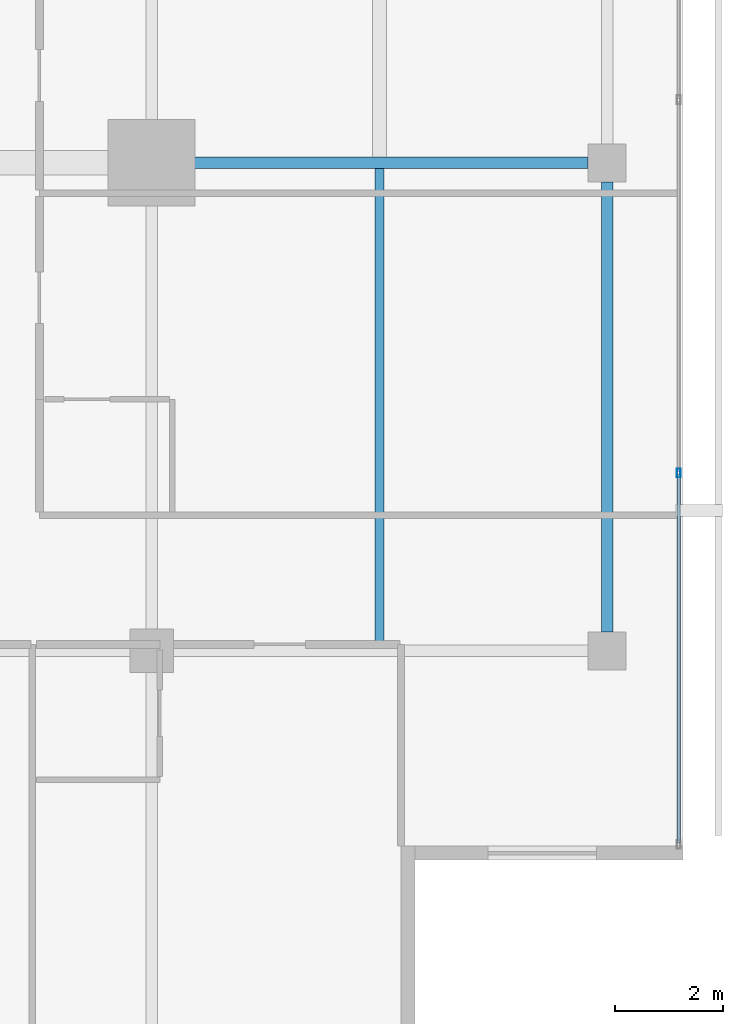
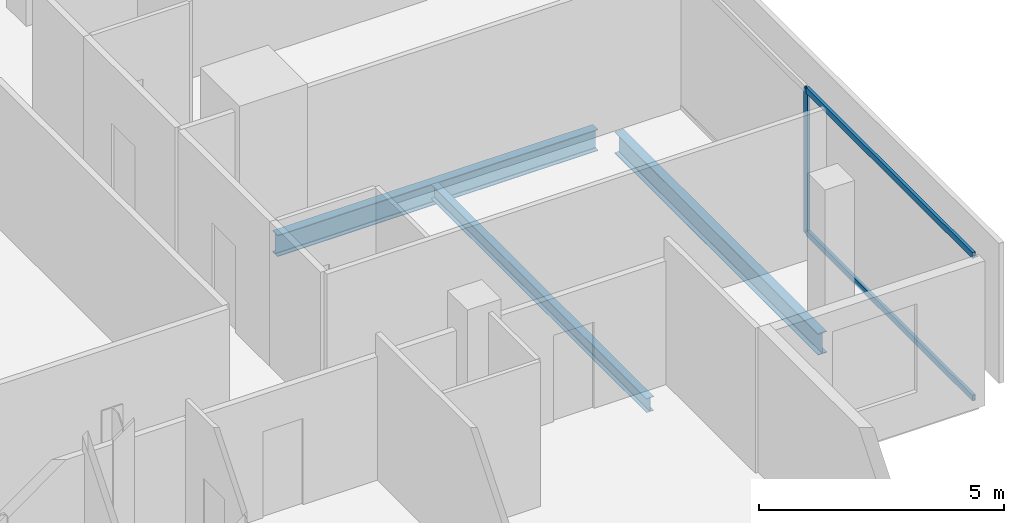
# One storey, part 12 of 26: 3 beams, 3 members, 1 element without a shape of its own.
"""IFC4 building model written with IfcOpenShell, lengths in metres."""

from ifc_helpers import new_model, si_unit, direction, frame, origin, origin_2d, place, context, subcontext, project, spatial, hollow_rectangle, i_section, extrude, material, layer, layer_set, material_profile, profile_set, type_object, element, aggregate, save


model = new_model("IFC4")

# Units and contexts
model_context = context("Model", 3, precision=1e-05, world=origin(), true_north=direction((0.0, 1.0)))
body_context = subcontext(model_context, "Body", "Model", "MODEL_VIEW")
ifc_project = project(units=[si_unit("LENGTHUNIT", "METRE"), si_unit("AREAUNIT", "SQUARE_METRE"), si_unit("VOLUMEUNIT", "CUBIC_METRE"), si_unit("PLANEANGLEUNIT", "RADIAN"), si_unit("MASSUNIT", "GRAM", prefix="KILO")], contexts=[model_context])

# Site, building, storey
site_placement = place(None, origin())
site = spatial("IfcSite", under=ifc_project, at=site_placement, CompositionType="ELEMENT")
building_placement = place(site_placement, origin())
building = spatial("IfcBuilding", under=site, at=building_placement, Name="Maruvema Waterfront Hotel and Observation Tower", CompositionType="ELEMENT")
storey_placement = place(building_placement, frame((0.0, 0.0, 266.35009765625)))
storey = spatial("IfcBuildingStorey", under=building, at=storey_placement, Name="L65", CompositionType="ELEMENT", Elevation=266.35009765625)

# Curtain wall, members
ifc_material_1 = material(Name="Anodised bronze aluminium and solar-control low-E IGU", Category="aluminium")
ifc_layer = layer(ifc_material_1, 0.159912109375, Name="Zone 3 Champagne Inner Thermal Curtain Wall System CW-04")
ifc_layer_set = layer_set([ifc_layer], Name="Anodised bronze aluminium and solar-control low-E IGU")
curtain_wall_type = type_object("IfcCurtainWallType", Name="Zone 3 Champagne Inner Thermal Curtain Wall System CW-04", PredefinedType="USERDEFINED", material=ifc_layer_set)
curtain_wall_placement = place(storey_placement, origin())
curtain_wall = element("IfcCurtainWall", 1, at=curtain_wall_placement, inside=storey, type_object=curtain_wall_type, Name="L65 Curtain Wall CW-L65-E", ObjectType="UNITISED CURTAIN WALL", PredefinedType="USERDEFINED")
ifc_material_2 = material(Name="Anodised architectural bronze aluminium", Category="aluminium")
ifc_material_profile_1 = material_profile(ifc_material_2, hollow_rectangle(XDim=0.070068359375, YDim=0.14990234375, WallThickness=0.00390625, at=origin_2d()), Name="ALU-T70x150")
ifc_profile_set_1 = profile_set([ifc_material_profile_1], Name="Anodised architectural bronze aluminium")
member_type_1 = type_object("IfcMemberType", Name="Curtain Wall Horizontal Transom ALU-T70x150", PredefinedType="USERDEFINED", material=ifc_profile_set_1)
member_1_placement = place(storey_placement, frame((60.1201171875, 14.4599609375, 0.02978515625), z_axis=(0.0, 1.0, 0.0), x_axis=(-1.0, 0.0, 0.0)))
member_1 = element("IfcMember", 2, at=member_1_placement, type_object=member_type_1, Name="CW-04 transom 1.1", ObjectType="TRANSOM", PredefinedType="USERDEFINED", context=body_context, shape_type="SweptSolid", body=[
    extrude(hollow_rectangle(XDim=0.070068359375, YDim=0.14990234375, WallThickness=0.00390625, at=origin_2d()), origin(), (0.0, 0.0, 1.0), 6.7900390625),
])
member_2_placement = place(storey_placement, frame((60.1201171875, 14.4599609375, 3.579833984375), z_axis=(0.0, 1.0, 0.0), x_axis=(-1.0, 0.0, 0.0)))
member_2 = element("IfcMember", 3, at=member_2_placement, type_object=member_type_1, Name="CW-04 transom 1.2", ObjectType="TRANSOM", PredefinedType="USERDEFINED", context=body_context, shape_type="SweptSolid", body=[
    extrude(hollow_rectangle(XDim=0.070068359375, YDim=0.14990234375, WallThickness=0.00390625, at=origin_2d()), origin(), (0.0, 0.0, 1.0), 6.7900390625),
])
ifc_material_3 = material(Name="Anodised architectural bronze aluminium", Category="aluminium")
ifc_material_profile_2 = material_profile(ifc_material_3, hollow_rectangle(XDim=0.06494140625, YDim=0.1650390625, WallThickness=0.00390625, at=origin_2d()), Name="ALU-M65x165")
ifc_profile_set_2 = profile_set([ifc_material_profile_2], Name="Anodised architectural bronze aluminium")
member_type_2 = type_object("IfcMemberType", Name="Curtain Wall Primary Mullion ALU-M65x165", PredefinedType="MULLION", material=ifc_profile_set_2)
member_3_placement = place(storey_placement, frame((60.1201171875, 21.280029296875, 0.0), z_axis=(0.0, 0.0, 1.0), x_axis=(-1.0, 0.0, 0.0)))
member_3 = element("IfcMember", 4, at=member_3_placement, type_object=member_type_2, Name="CW-04 mullion 2", PredefinedType="MULLION", context=body_context, shape_type="SweptSolid", body=[
    extrude(hollow_rectangle(XDim=0.06494140625, YDim=0.1650390625, WallThickness=0.00390625, at=origin_2d()), origin(), (0.0, 0.0, 1.0), 3.60986328125),
])
aggregate(curtain_wall, [member_3, member_1, member_2])

# Beams
ifc_material_4 = material(Name="Steel ASTM A572 Grade 50", Category="steel")
ifc_material_profile_3 = material_profile(ifc_material_4, i_section(OverallWidth=0.208984375, OverallDepth=0.532958984375, WebThickness=0.01025390625, FlangeThickness=0.015625, FilletRadius=0.014892578125, at=origin_2d()), Name="W530x92.0")
ifc_profile_set_3 = profile_set([ifc_material_profile_3], Name="Steel ASTM A572 Grade 50")
beam_type_1 = type_object("IfcBeamType", Name="Primary Floor Girder W530x92.0", PredefinedType="BEAM", material=ifc_profile_set_3)
beam_1_placement = place(storey_placement, frame((50.89990234375, 27.0, -0.506591796875), z_axis=(1.0, 0.0, 0.0), x_axis=(0.0, 1.0, 0.0)))
element("IfcBeam", 5, at=beam_1_placement, inside=storey, type_object=beam_type_1, Name="L65 Floor Girder EW-11", PredefinedType="BEAM", context=body_context, shape_type="SweptSolid", body=[
    extrude(i_section(OverallWidth=0.208984375, OverallDepth=0.532958984375, WebThickness=0.01025390625, FlangeThickness=0.015625, FilletRadius=0.014892578125, at=origin_2d()), origin(), (0.0, 0.0, 1.0), 7.550048828125),
])
beam_2_placement = place(storey_placement, frame((58.800048828125, 18.35009765625, -0.506591796875), z_axis=(0.0, 1.0, 0.0), x_axis=(-1.0, 0.0, 0.0)))
element("IfcBeam", 6, at=beam_2_placement, inside=storey, type_object=beam_type_1, Name="L65 Floor Girder NS-16", PredefinedType="BEAM", context=body_context, shape_type="SweptSolid", body=[
    extrude(i_section(OverallWidth=0.208984375, OverallDepth=0.532958984375, WebThickness=0.01025390625, FlangeThickness=0.015625, FilletRadius=0.014892578125, at=origin_2d()), origin(), (0.0, 0.0, 1.0), 8.2998046875),
])
ifc_material_5 = material(Name="Steel ASTM A572 Grade 50", Category="steel")
ifc_material_profile_4 = material_profile(ifc_material_5, i_section(OverallWidth=0.1708984375, OverallDepth=0.35498046875, WebThickness=0.007080078125, FlangeThickness=0.01171875, FilletRadius=0.014892578125, at=origin_2d()), Name="W360x51.0")
ifc_profile_set_4 = profile_set([ifc_material_profile_4], Name="Steel ASTM A572 Grade 50")
beam_type_2 = type_object("IfcBeamType", Name="Secondary Floor Joist W360x51.0", PredefinedType="JOIST", material=ifc_profile_set_4)
beam_3_placement = place(storey_placement, frame((54.60009765625, 18.1044921875, -0.41748046875), z_axis=(0.0, 1.0, 0.0), x_axis=(-1.0, 0.0, 0.0)))
element("IfcBeam", 7, at=beam_3_placement, inside=storey, type_object=beam_type_2, Name="L65 Secondary Floor Joist JS-07", PredefinedType="JOIST", context=body_context, shape_type="SweptSolid", body=[
    extrude(i_section(OverallWidth=0.1708984375, OverallDepth=0.35498046875, WebThickness=0.007080078125, FlangeThickness=0.01171875, FilletRadius=0.014892578125, at=origin_2d()), origin(), (0.0, 0.0, 1.0), 8.791015625),
])

save(model, "model.ifc")
